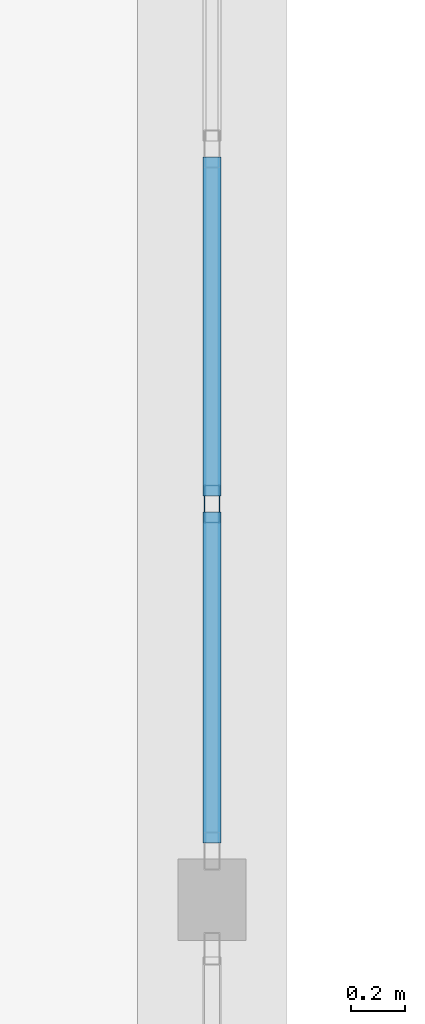
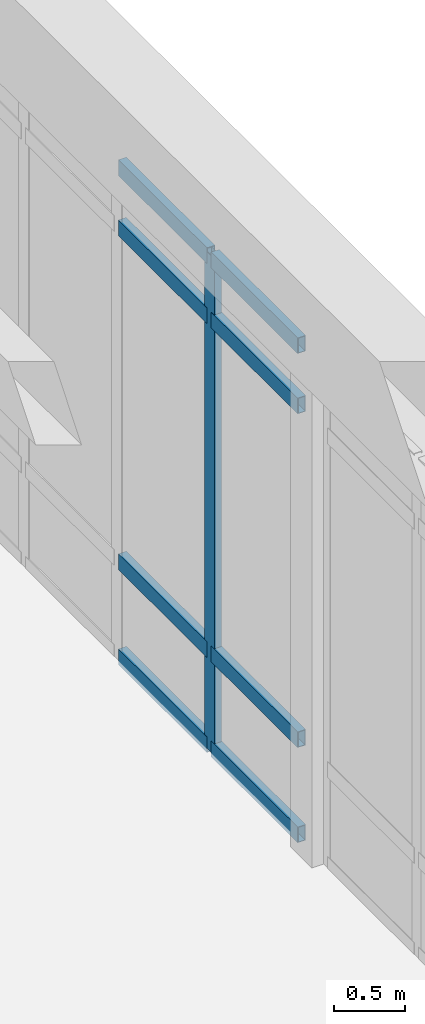
# One storey, part 84 of 138: 9 members, 1 element without a shape of its own.
"""IFC4 building model written with IfcOpenShell, lengths in metres."""

from ifc_helpers import new_model, si_unit, direction, frame, origin, origin_2d, place, context, subcontext, project, spatial, hollow_rectangle, extrude, material, layer, layer_set, material_profile, profile_set, type_object, element, aggregate, save


model = new_model("IFC4")

# Units and contexts
model_context = context("Model", 3, precision=1e-05, world=origin(), true_north=direction((0.0, 1.0)))
body_context = subcontext(model_context, "Body", "Model", "MODEL_VIEW")
ifc_project = project(units=[si_unit("LENGTHUNIT", "METRE"), si_unit("AREAUNIT", "SQUARE_METRE"), si_unit("VOLUMEUNIT", "CUBIC_METRE"), si_unit("PLANEANGLEUNIT", "RADIAN"), si_unit("MASSUNIT", "GRAM", prefix="KILO")], contexts=[model_context])

# Site, building, storey
site_placement = place(None, origin())
site = spatial("IfcSite", under=ifc_project, at=site_placement, CompositionType="ELEMENT")
building_placement = place(site_placement, origin())
building = spatial("IfcBuilding", under=site, at=building_placement, Name="Fikremerkos Civic Library", CompositionType="ELEMENT")
storey_placement = place(building_placement, origin())
storey = spatial("IfcBuildingStorey", under=building, at=storey_placement, Name="L00", CompositionType="ELEMENT", Elevation=0.0)

# Curtain wall, members
ifc_material = material(Name="Anodized aluminium Frame", Category="aluminium")
ifc_layer = layer(ifc_material, 0.159912109375, Name="Anodized aluminium Frame")
ifc_layer_set = layer_set([ifc_layer], Name="Anodized aluminium Frame")
curtain_wall_type = type_object("IfcCurtainWallType", Name="Unitised curtain wall CW-03 4100x3600", PredefinedType="USERDEFINED", material=ifc_layer_set)
curtain_wall_placement = place(storey_placement, origin())
curtain_wall = element("IfcCurtainWall", 1, at=curtain_wall_placement, inside=storey, type_object=curtain_wall_type, Name="Unitised curtain wall CW-03 L00 #57", ObjectType="UNITISED CURTAIN WALL", PredefinedType="USERDEFINED")
ifc_material_profile_1 = material_profile(ifc_material, hollow_rectangle(XDim=0.06005859375, YDim=0.139892578125, WallThickness=0.00390625, at=origin_2d()), Name="ALU 140x60x4")
ifc_profile_set_1 = profile_set([ifc_material_profile_1], Name="Anodized aluminium Frame")
member_type_1 = type_object("IfcMemberType", Name="Curtain mullion CWM-03 ALU 140x60x4", PredefinedType="MULLION", material=ifc_profile_set_1)
member_1_placement = place(storey_placement, frame((134.39990234375, 104.799560546875, 0.0), z_axis=(0.0, 0.0, 1.0), x_axis=(1.0, 0.0, 0.0)))
member_1 = element("IfcMember", 2, at=member_1_placement, type_object=member_type_1, Name="CW-03 mullion 5", PredefinedType="MULLION", context=body_context, shape_type="SweptSolid", body=[
    extrude(hollow_rectangle(XDim=0.06005859375, YDim=0.139892578125, WallThickness=0.00390625, at=origin_2d()), origin(), (0.0, 0.0, 1.0), 4.27001953125),
])
ifc_material_profile_2 = material_profile(ifc_material, hollow_rectangle(XDim=0.06494140625, YDim=0.135009765625, WallThickness=0.00439453125, at=origin_2d()), Name="ALU 135x65x4.5")
ifc_profile_set_2 = profile_set([ifc_material_profile_2], Name="Anodized aluminium Frame")
member_type_2 = type_object("IfcMemberType", Name="Curtain transom CWT-02 ALU 135x65x4.5", PredefinedType="USERDEFINED", material=ifc_profile_set_2)
member_2_placement = place(storey_placement, frame((134.39990234375, 106.078125, 0.032470703125), z_axis=(0.0, -1.0, 0.0), x_axis=(1.0, 0.0, 0.0)))
member_2 = element("IfcMember", 3, at=member_2_placement, type_object=member_type_2, Name="CW-03 transom 4.1", ObjectType="TRANSOM", PredefinedType="USERDEFINED", context=body_context, shape_type="SweptSolid", body=[
    extrude(hollow_rectangle(XDim=0.06494140625, YDim=0.135009765625, WallThickness=0.00439453125, at=origin_2d()), origin(), (0.0, 0.0, 1.0), 1.24853515625),
])
member_3_placement = place(storey_placement, frame((134.39990234375, 106.078125, 0.85009765625), z_axis=(0.0, -1.0, 0.0), x_axis=(1.0, 0.0, 0.0)))
member_3 = element("IfcMember", 4, at=member_3_placement, type_object=member_type_2, Name="CW-03 transom 4.2", ObjectType="TRANSOM", PredefinedType="USERDEFINED", context=body_context, shape_type="SweptSolid", body=[
    extrude(hollow_rectangle(XDim=0.06494140625, YDim=0.135009765625, WallThickness=0.00439453125, at=origin_2d()), origin(), (0.0, 0.0, 1.0), 1.24853515625),
])
member_4_placement = place(storey_placement, frame((134.39990234375, 106.078125, 3.719970703125), z_axis=(0.0, -1.0, 0.0), x_axis=(1.0, 0.0, 0.0)))
member_4 = element("IfcMember", 5, at=member_4_placement, type_object=member_type_2, Name="CW-03 transom 4.3", ObjectType="TRANSOM", PredefinedType="USERDEFINED", context=body_context, shape_type="SweptSolid", body=[
    extrude(hollow_rectangle(XDim=0.06494140625, YDim=0.135009765625, WallThickness=0.00439453125, at=origin_2d()), origin(), (0.0, 0.0, 1.0), 1.24853515625),
])
member_5_placement = place(storey_placement, frame((134.39990234375, 106.078125, 4.237548828125), z_axis=(0.0, -1.0, 0.0), x_axis=(1.0, 0.0, 0.0)))
member_5 = element("IfcMember", 6, at=member_5_placement, type_object=member_type_2, Name="CW-03 transom 4.4", ObjectType="TRANSOM", PredefinedType="USERDEFINED", context=body_context, shape_type="SweptSolid", body=[
    extrude(hollow_rectangle(XDim=0.06494140625, YDim=0.135009765625, WallThickness=0.00439453125, at=origin_2d()), origin(), (0.0, 0.0, 1.0), 1.24853515625),
])
member_6_placement = place(storey_placement, frame((134.39990234375, 104.76953125, 0.032470703125), z_axis=(0.0, -1.0, 0.0), x_axis=(1.0, 0.0, 0.0)))
member_6 = element("IfcMember", 7, at=member_6_placement, type_object=member_type_2, Name="CW-03 transom 5.1", ObjectType="TRANSOM", PredefinedType="USERDEFINED", context=body_context, shape_type="SweptSolid", body=[
    extrude(hollow_rectangle(XDim=0.06494140625, YDim=0.135009765625, WallThickness=0.00439453125, at=origin_2d()), origin(), (0.0, 0.0, 1.0), 1.218505859375),
])
member_7_placement = place(storey_placement, frame((134.39990234375, 104.76953125, 0.85009765625), z_axis=(0.0, -1.0, 0.0), x_axis=(1.0, 0.0, 0.0)))
member_7 = element("IfcMember", 8, at=member_7_placement, type_object=member_type_2, Name="CW-03 transom 5.2", ObjectType="TRANSOM", PredefinedType="USERDEFINED", context=body_context, shape_type="SweptSolid", body=[
    extrude(hollow_rectangle(XDim=0.06494140625, YDim=0.135009765625, WallThickness=0.00439453125, at=origin_2d()), origin(), (0.0, 0.0, 1.0), 1.218505859375),
])
member_8_placement = place(storey_placement, frame((134.39990234375, 104.76953125, 3.719970703125), z_axis=(0.0, -1.0, 0.0), x_axis=(1.0, 0.0, 0.0)))
member_8 = element("IfcMember", 9, at=member_8_placement, type_object=member_type_2, Name="CW-03 transom 5.3", ObjectType="TRANSOM", PredefinedType="USERDEFINED", context=body_context, shape_type="SweptSolid", body=[
    extrude(hollow_rectangle(XDim=0.06494140625, YDim=0.135009765625, WallThickness=0.00439453125, at=origin_2d()), origin(), (0.0, 0.0, 1.0), 1.218505859375),
])
member_9_placement = place(storey_placement, frame((134.39990234375, 104.76953125, 4.237548828125), z_axis=(0.0, -1.0, 0.0), x_axis=(1.0, 0.0, 0.0)))
member_9 = element("IfcMember", 10, at=member_9_placement, type_object=member_type_2, Name="CW-03 transom 5.4", ObjectType="TRANSOM", PredefinedType="USERDEFINED", context=body_context, shape_type="SweptSolid", body=[
    extrude(hollow_rectangle(XDim=0.06494140625, YDim=0.135009765625, WallThickness=0.00439453125, at=origin_2d()), origin(), (0.0, 0.0, 1.0), 1.218505859375),
])
aggregate(curtain_wall, [member_1, member_2, member_3, member_4, member_5, member_6, member_7, member_8, member_9])

save(model, "model.ifc")
